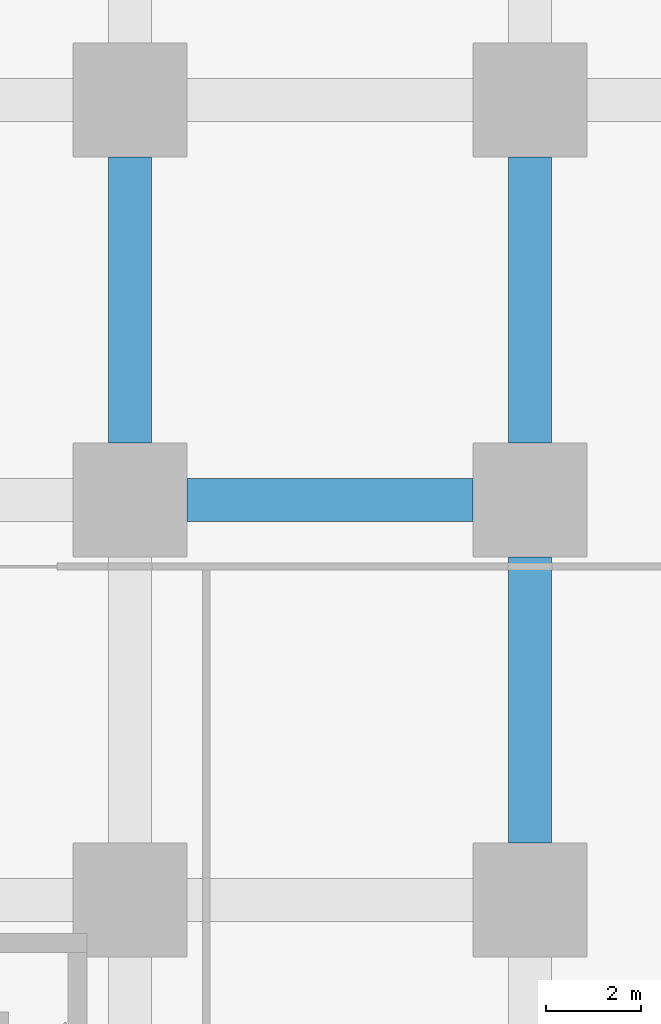
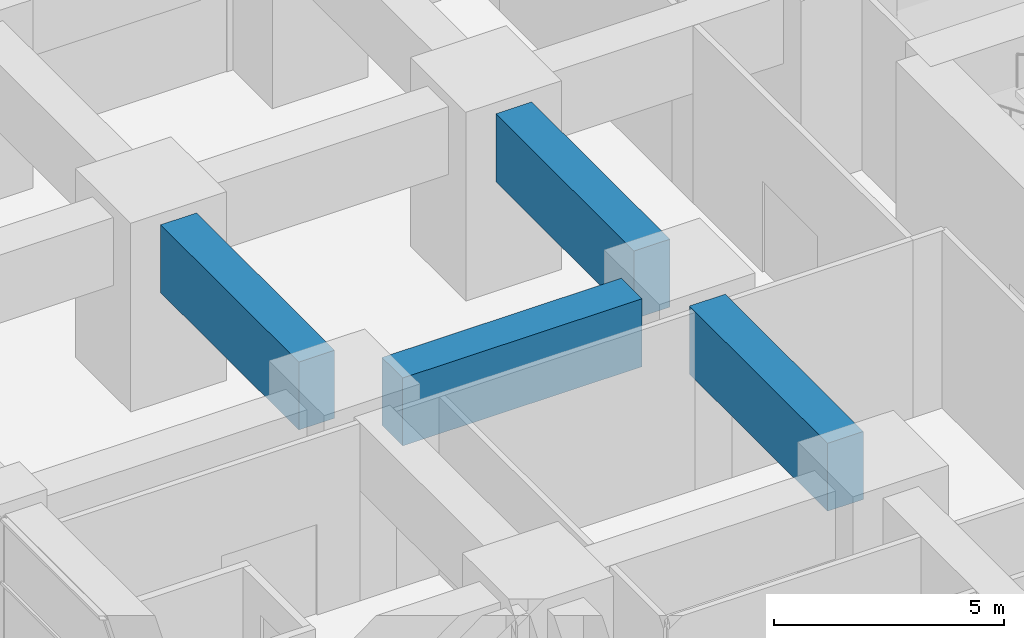
# One storey, part 20 of 49: 4 beams.
"""IFC4 building model written with IfcOpenShell, lengths in metres."""

from ifc_helpers import new_model, si_unit, direction, frame, origin, origin_2d, place, context, subcontext, project, spatial, rectangle, extrude, material, material_profile, profile_set, type_object, element, save


model = new_model("IFC4")

# Units and contexts
model_context = context("Model", 3, precision=1e-05, world=origin(), true_north=direction((0.0, 1.0)))
body_context = subcontext(model_context, "Body", "Model", "MODEL_VIEW")
ifc_project = project(units=[si_unit("LENGTHUNIT", "METRE"), si_unit("AREAUNIT", "SQUARE_METRE"), si_unit("VOLUMEUNIT", "CUBIC_METRE"), si_unit("PLANEANGLEUNIT", "RADIAN"), si_unit("MASSUNIT", "GRAM", prefix="KILO")], contexts=[model_context])

# Site, building, storey
site_placement = place(None, origin())
site = spatial("IfcSite", under=ifc_project, at=site_placement, CompositionType="ELEMENT")
building_placement = place(site_placement, origin())
building = spatial("IfcBuilding", under=site, at=building_placement, Name="Rekha Terrace Tower", CompositionType="ELEMENT")
storey_placement = place(building_placement, frame((0.0, 0.0, 10.39990234375)))
storey = spatial("IfcBuildingStorey", under=building, at=storey_placement, Name="L02", CompositionType="ELEMENT", Elevation=10.39990234375)

# Beams
ifc_material = material(Name="Concrete M60", Category="concrete")
ifc_material_profile = material_profile(ifc_material, rectangle(XDim=0.89990234375, YDim=1.800048828125, at=origin_2d()), Name="RC 900x1800")
ifc_profile_set = profile_set([ifc_material_profile], Name="Concrete M60")
beam_type = type_object("IfcBeamType", Name="G1 900x1800 podium floor beam", PredefinedType="BEAM", material=ifc_profile_set)
for number, where, z_axis, x_axis, name in (
    (1, (9.60009765625, 42.0, 3.800048828125), (1.0, 0.0, 0.0), (0.0, 1.0, 0.0), "Beam G1 2F-3F under L03"),
    (2, (8.39990234375, 43.199951171875, 3.800048828125), (0.0, 1.0, 0.0), (-1.0, 0.0, 0.0), "Beam G1 2F-2G under L03"),
    (3, (16.800048828125, 34.800048828125, 3.800048828125), (0.0, 1.0, 0.0), (-1.0, 0.0, 0.0), "Beam G1 3E-3F under L03"),
    (4, (16.800048828125, 43.199951171875, 3.800048828125), (0.0, 1.0, 0.0), (-1.0, 0.0, 0.0), "Beam G1 3F-3G under L03"),
):
    element("IfcBeam", number, at=place(storey_placement, frame(where, z_axis=z_axis, x_axis=x_axis)), inside=storey, type_object=beam_type, Name=name, PredefinedType="BEAM", context=body_context, shape_type="SweptSolid", body=[
        extrude(rectangle(XDim=0.89990234375, YDim=1.800048828125, at=origin_2d()), origin(), (0.0, 0.0, 1.0), 6.0),
    ])

save(model, "model.ifc")
